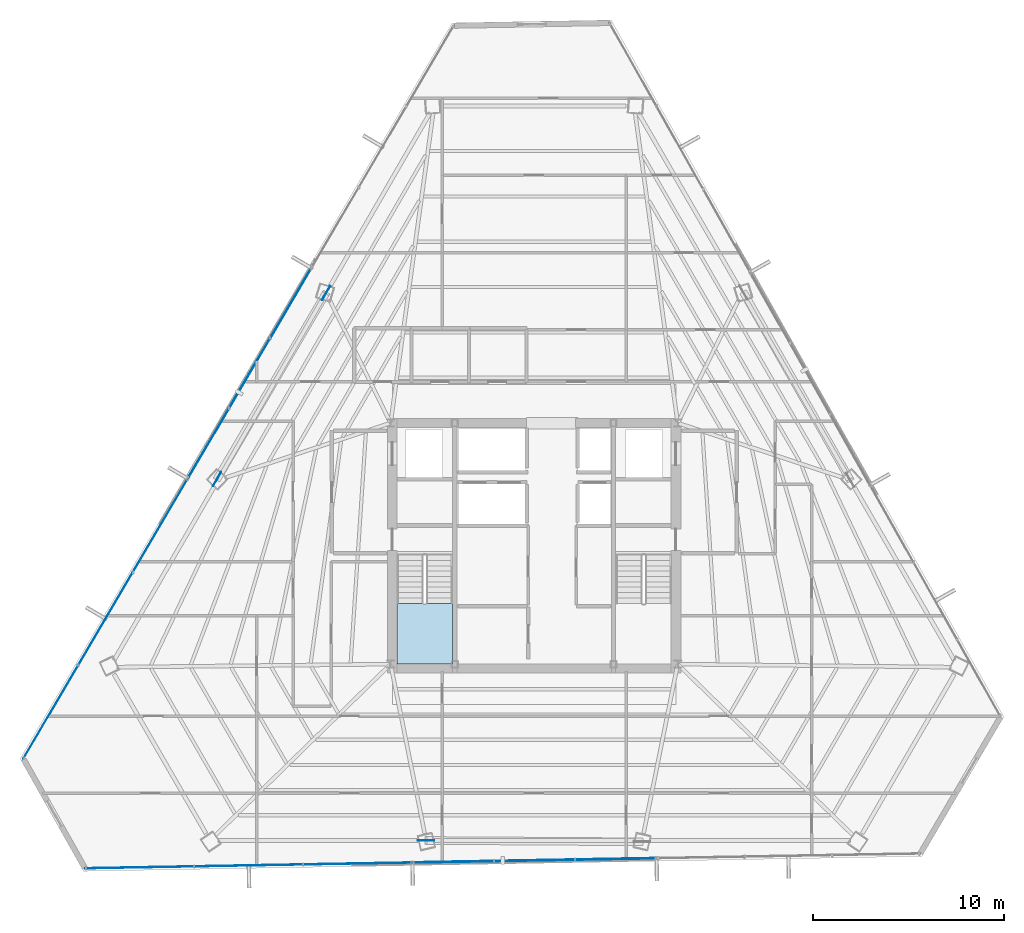
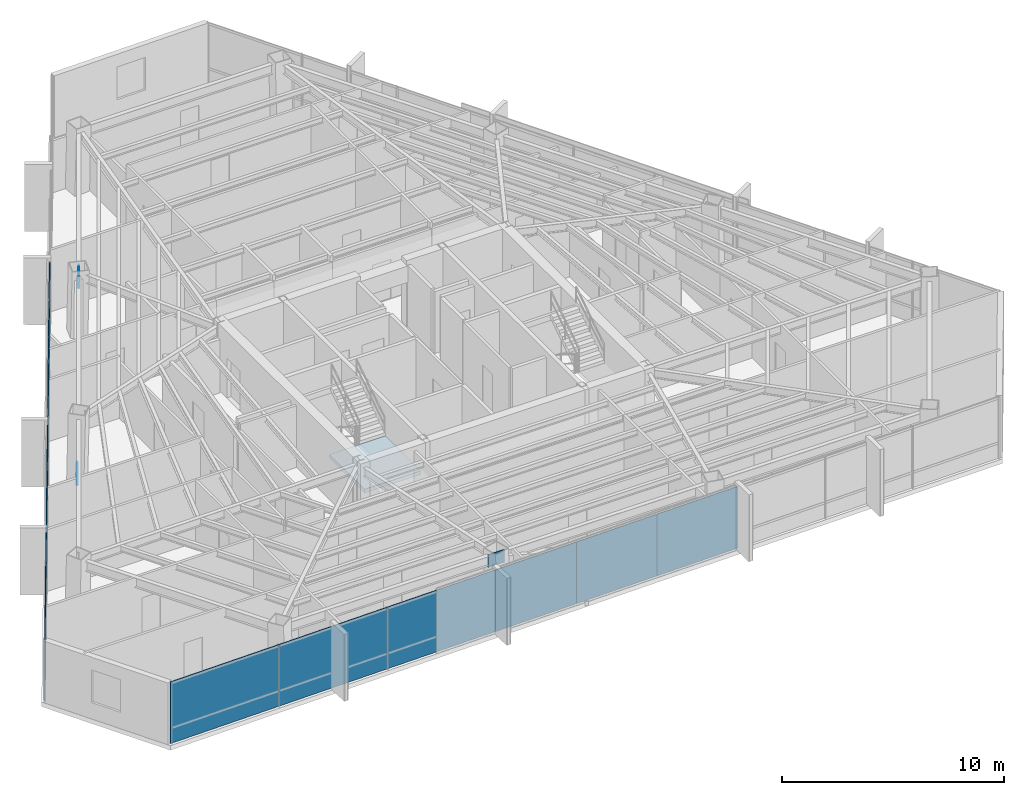
# One storey, part 33 of 42: 15 plates, 1 slab, 5 elements without a shape of their own.
"""IFC4 building model written with IfcOpenShell, lengths in metres."""

from ifc_helpers import new_model, si_unit, direction, frame, origin, origin_2d, place, context, subcontext, project, spatial, polyline, rectangle, outline, extrude, source, transform, mapped, material, layer, layer_set, type_object, type_shapes, element, aggregate, save


model = new_model("IFC4")

# Units and contexts
model_context = context("Model", 3, precision=1e-05, world=origin(), true_north=direction((0.0, 1.0)))
body_context = subcontext(model_context, "Body", "Model", "MODEL_VIEW")
ifc_project = project(units=[si_unit("LENGTHUNIT", "METRE"), si_unit("AREAUNIT", "SQUARE_METRE"), si_unit("VOLUMEUNIT", "CUBIC_METRE"), si_unit("PLANEANGLEUNIT", "RADIAN"), si_unit("MASSUNIT", "GRAM", prefix="KILO")], contexts=[model_context])

# Site, building, storey
site_placement = place(None, origin())
site = spatial("IfcSite", under=ifc_project, at=site_placement, CompositionType="ELEMENT")
building_placement = place(site_placement, origin())
building = spatial("IfcBuilding", under=site, at=building_placement, Name="Caelisora Broadcast Tower", CompositionType="ELEMENT")
storey_placement = place(building_placement, frame((0.0, 0.0, 195.0)))
storey = spatial("IfcBuildingStorey", under=building, at=storey_placement, Name="L51", CompositionType="ELEMENT", Elevation=195.0)

# Stair, slab
ifc_material_1 = material(Name="Concrete 40 MPa (AS 3600 N40)", Category="concrete")
stair_type = type_object("IfcStairType", Name="ST-1", PredefinedType="HALF_TURN_STAIR", material=ifc_material_1)
stair_placement = place(storey_placement, origin())
stair = element("IfcStair", 1, at=stair_placement, inside=storey, type_object=stair_type, Name="L51 West Fire-Isolated Tower Stair", PredefinedType="HALF_TURN_STAIR")
ifc_layer_1 = layer(ifc_material_1, 0.199951171875, Name="Concrete 40 MPa (AS 3600 N40)")
ifc_layer_set_1 = layer_set([ifc_layer_1], Name="Concrete 40 MPa (AS 3600 N40)")
slab_type = type_object("IfcSlabType", Name="STL-1", PredefinedType="LANDING", material=ifc_layer_set_1)
slab_placement = place(storey_placement, frame((0.0, 0.0, 1.625)))
slab = element("IfcSlab", 2, at=slab_placement, type_object=slab_type, Name="ST-1 landing 1", PredefinedType="LANDING", context=body_context, shape_type="SweptSolid", body=[
    extrude(outline(polyline([(30.820068359375, 20.580078125), (30.820068359375, 17.39990234375), (33.739990234375, 17.39990234375), (33.739990234375, 20.580078125), (30.820068359375, 20.580078125)])), origin(), (0.0, 0.0, 1.0), 0.199951171875),
])
aggregate(stair, [slab])

# Plates
ifc_material_2 = material(Name="Steel Grade 350 L15 (AS/NZS 3678)", Category="steel")
ifc_layer_2 = layer(ifc_material_2, 0.0400390625, Name="Steel Grade 350 L15 (AS/NZS 3678)")
ifc_layer_set_2 = layer_set([ifc_layer_2], Name="Steel Grade 350 L15 (AS/NZS 3678)")
plate_type_1 = type_object("IfcPlateType", Name="GP04", PredefinedType="USERDEFINED", material=ifc_layer_set_2)
shared_shape_1 = source(origin(), body_context, "Body", "SweptSolid", [
    extrude(rectangle(XDim=0.85009765625, YDim=0.0400390625, at=origin_2d()), origin(), (0.0, 0.0, 1.0), 0.699951171875),
])
type_shapes(plate_type_1, [shared_shape_1])
for number, where, z_axis, x_axis, name in (
    (3, (27.129150390625, 36.794921875, 2.72998046875), (0.0, 0.0, 1.0), (-0.5, -0.866025403784, 0.0), "L51 gusset plate GP04 (ND-L51-C02T)"),
    (4, (21.429443359375, 27.0673828125, -0.22998046875), (0.0, 0.0, 1.0), (-0.5, -0.866025403784, 0.0), "L51 gusset plate GP04 (ND-L51-C03B)"),
    (5, (32.3544921875, 8.18798828125, 2.72998046875), (0.0, 0.0, 1.0), (1.0, 0.0, 0.0), "L51 gusset plate GP04 (ND-L51-C06T)"),
):
    element("IfcPlate", number, at=place(storey_placement, frame(where, z_axis=z_axis, x_axis=x_axis)), inside=storey, type_object=plate_type_1, Name=name, ObjectType="GUSSET PLATE", PredefinedType="USERDEFINED", context=body_context, shape_type="MappedRepresentation", body=[
        mapped(shared_shape_1, transform((0.0, 0.0, 0.0), scale=1.0)),
    ])

# Curtain wall, plates
ifc_material_3 = material(Name="Unitised Aluminium Insulated Shadow-Box Spandrel Curtain Wall", Category="aluminium")
curtain_wall_type_1 = type_object("IfcCurtainWallType", Name="CW-SP2", PredefinedType="NOTDEFINED", material=ifc_material_3)
curtain_wall_1_placement = place(storey_placement, origin())
curtain_wall_1 = element("IfcCurtainWall", 6, at=curtain_wall_1_placement, inside=storey, type_object=curtain_wall_type_1, Name="L51 curtain wall CW-SP2", PredefinedType="NOTDEFINED")
ifc_material_4 = material(Name="Insulated Terracotta Shadow-Box Spandrel Panel", Category="aluminium")
ifc_layer_3 = layer(ifc_material_4, 0.0439453125, Name="Insulated Terracotta Shadow-Box Spandrel Panel")
ifc_layer_set_3 = layer_set([ifc_layer_3], Name="Insulated Terracotta Shadow-Box Spandrel Panel")
plate_type_2 = type_object("IfcPlateType", Name="CWP-10", PredefinedType="CURTAIN_PANEL", material=ifc_layer_set_3)
shared_shape_2 = source(origin(), body_context, "Body", "SweptSolid", [
    extrude(rectangle(XDim=4.248779296875, YDim=0.0439453125, at=origin_2d()), origin(), (0.0, 0.0, 1.0), 3.39990234375),
])
plate_1_placement = place(storey_placement, frame((42.265380859375, 7.21826171875, 0.0), z_axis=(0.0, 0.0, 1.0), x_axis=(-0.999844633908, -0.017626912514, 0.0)))
plate_1 = element("IfcPlate", 7, at=plate_1_placement, type_object=plate_type_2, Name="L51-CW-B06 spandrel panel #1", PredefinedType="CURTAIN_PANEL", context=body_context, shape_type="MappedRepresentation", body=[
    mapped(shared_shape_2, transform((0.0, 0.0, 0.0), scale=1.0)),
])
plate_2_placement = place(storey_placement, frame((38.01708984375, 7.142822265625, 0.0), z_axis=(0.0, 0.0, 1.0), x_axis=(-0.999844633908, -0.017626912514, 0.0)))
plate_2 = element("IfcPlate", 8, at=plate_2_placement, type_object=plate_type_2, Name="L51-CW-B06 spandrel panel #2", PredefinedType="CURTAIN_PANEL", context=body_context, shape_type="MappedRepresentation", body=[
    mapped(shared_shape_2, transform((0.0, 0.0, 0.0), scale=1.0)),
])
plate_3_placement = place(storey_placement, frame((33.769287109375, 7.067626953125, 0.0), z_axis=(0.0, 0.0, 1.0), x_axis=(-0.999844633908, -0.017626912514, 0.0)))
plate_3 = element("IfcPlate", 9, at=plate_3_placement, type_object=plate_type_2, Name="L51-CW-B06 spandrel panel #3", PredefinedType="CURTAIN_PANEL", context=body_context, shape_type="MappedRepresentation", body=[
    mapped(shared_shape_2, transform((0.0, 0.0, 0.0), scale=1.0)),
])
aggregate(curtain_wall_1, [plate_1, plate_2, plate_3])

ifc_material_5 = material(Name="Unitised Aluminium and Low-E Glass Curtain Wall", Category="glass")
curtain_wall_type_2 = type_object("IfcCurtainWallType", Name="CW-Z4", PredefinedType="NOTDEFINED", material=ifc_material_5)
curtain_wall_2_placement = place(storey_placement, origin())
curtain_wall_2 = element("IfcCurtainWall", 10, at=curtain_wall_2_placement, inside=storey, type_object=curtain_wall_type_2, Name="L51 curtain wall CW-Z4", PredefinedType="NOTDEFINED")
ifc_material_6 = material(Name="Double Glazed Low-E Argon IGU", Category="glass")
ifc_layer_4 = layer(ifc_material_6, 0.030029296875, Name="Double Glazed Low-E Argon IGU")
ifc_layer_set_4 = layer_set([ifc_layer_4], Name="Double Glazed Low-E Argon IGU")
plate_type_3 = type_object("IfcPlateType", Name="CWP-05", PredefinedType="CURTAIN_PANEL", material=ifc_layer_set_4)
shared_shape_3 = source(origin(), body_context, "Body", "SweptSolid", [
    extrude(rectangle(XDim=5.70068359375, YDim=0.030029296875, at=origin_2d()), origin(), (0.0, 0.0, 1.0), 3.39990234375),
])
plate_4_placement = place(storey_placement, frame((28.785400390625, 6.9794921875, 0.0), z_axis=(0.0, 0.0, 1.0), x_axis=(-0.999844633908, -0.017626912514, 0.0)))
plate_4 = element("IfcPlate", 11, at=plate_4_placement, type_object=plate_type_3, Name="L51-CW-B07 glazed panel #1", PredefinedType="CURTAIN_PANEL", context=body_context, shape_type="MappedRepresentation", body=[
    mapped(shared_shape_3, transform((0.0, 0.0, 0.0), scale=1.0)),
])
plate_5_placement = place(storey_placement, frame((23.085693359375, 6.87841796875, 0.0), z_axis=(0.0, 0.0, 1.0), x_axis=(-0.999844633908, -0.017626912514, 0.0)))
plate_5 = element("IfcPlate", 12, at=plate_5_placement, type_object=plate_type_3, Name="L51-CW-B07 glazed panel #2", PredefinedType="CURTAIN_PANEL", context=body_context, shape_type="MappedRepresentation", body=[
    mapped(shared_shape_3, transform((0.0, 0.0, 0.0), scale=1.0)),
])
plate_6_placement = place(storey_placement, frame((17.385986328125, 6.777587890625, 0.0), z_axis=(0.0, 0.0, 1.0), x_axis=(-0.999844633908, -0.017626912514, 0.0)))
plate_6 = element("IfcPlate", 13, at=plate_6_placement, type_object=plate_type_3, Name="L51-CW-B07 glazed panel #3", PredefinedType="CURTAIN_PANEL", context=body_context, shape_type="MappedRepresentation", body=[
    mapped(shared_shape_3, transform((0.0, 0.0, 0.0), scale=1.0)),
])
aggregate(curtain_wall_2, [plate_4, plate_5, plate_6])

curtain_wall_3_placement = place(storey_placement, origin())
curtain_wall_3 = element("IfcCurtainWall", 14, at=curtain_wall_3_placement, inside=storey, type_object=curtain_wall_type_2, Name="L51 curtain wall CW-Z4", PredefinedType="NOTDEFINED")
shared_shape_4 = source(origin(), body_context, "Body", "SweptSolid", [
    extrude(rectangle(XDim=5.656982421875, YDim=0.030029296875, at=origin_2d()), origin(), (0.0, 0.0, 1.0), 3.39990234375),
])
type_shapes(plate_type_3, [shared_shape_3, shared_shape_4])
plate_7_placement = place(storey_placement, frame((12.7392578125, 14.89404296875, 0.0), z_axis=(0.0, 0.0, 1.0), x_axis=(0.506334807353, 0.862336977557, 0.0)))
plate_7 = element("IfcPlate", 15, at=plate_7_placement, type_object=plate_type_3, Name="L51-CW-B09 glazed panel #1", PredefinedType="CURTAIN_PANEL", context=body_context, shape_type="MappedRepresentation", body=[
    mapped(shared_shape_4, transform((0.0, 0.0, 0.0), scale=1.0)),
])
plate_8_placement = place(storey_placement, frame((15.603759765625, 19.772216796875, 0.0), z_axis=(0.0, 0.0, 1.0), x_axis=(0.506334807353, 0.862336977557, 0.0)))
plate_8 = element("IfcPlate", 16, at=plate_8_placement, type_object=plate_type_3, Name="L51-CW-B09 glazed panel #2", PredefinedType="CURTAIN_PANEL", context=body_context, shape_type="MappedRepresentation", body=[
    mapped(shared_shape_4, transform((0.0, 0.0, 0.0), scale=1.0)),
])
plate_9_placement = place(storey_placement, frame((18.46826171875, 24.650390625, 0.0), z_axis=(0.0, 0.0, 1.0), x_axis=(0.506334807353, 0.862336977557, 0.0)))
plate_9 = element("IfcPlate", 17, at=plate_9_placement, type_object=plate_type_3, Name="L51-CW-B09 glazed panel #3", PredefinedType="CURTAIN_PANEL", context=body_context, shape_type="MappedRepresentation", body=[
    mapped(shared_shape_4, transform((0.0, 0.0, 0.0), scale=1.0)),
])
aggregate(curtain_wall_3, [plate_7, plate_8, plate_9])

curtain_wall_4_placement = place(storey_placement, origin())
curtain_wall_4 = element("IfcCurtainWall", 18, at=curtain_wall_4_placement, inside=storey, type_object=curtain_wall_type_1, Name="L51 curtain wall CW-SP2", PredefinedType="NOTDEFINED")
shared_shape_5 = source(origin(), body_context, "Body", "SweptSolid", [
    extrude(rectangle(XDim=4.249267578125, YDim=0.0439453125, at=origin_2d()), origin(), (0.0, 0.0, 1.0), 3.39990234375),
])
type_shapes(plate_type_2, [shared_shape_2, shared_shape_5])
plate_10_placement = place(storey_placement, frame((20.9814453125, 28.93017578125, 0.0), z_axis=(0.0, 0.0, 1.0), x_axis=(0.506334807353, 0.862336977557, 0.0)))
plate_10 = element("IfcPlate", 19, at=plate_10_placement, type_object=plate_type_2, Name="L51-CW-B10 spandrel panel #1", PredefinedType="CURTAIN_PANEL", context=body_context, shape_type="MappedRepresentation", body=[
    mapped(shared_shape_5, transform((0.0, 0.0, 0.0), scale=1.0)),
])
plate_11_placement = place(storey_placement, frame((23.133056640625, 32.594482421875, 0.0), z_axis=(0.0, 0.0, 1.0), x_axis=(0.506334807353, 0.862336977557, 0.0)))
plate_11 = element("IfcPlate", 20, at=plate_11_placement, type_object=plate_type_2, Name="L51-CW-B10 spandrel panel #2", PredefinedType="CURTAIN_PANEL", context=body_context, shape_type="MappedRepresentation", body=[
    mapped(shared_shape_5, transform((0.0, 0.0, 0.0), scale=1.0)),
])
plate_12_placement = place(storey_placement, frame((25.284912109375, 36.258544921875, 0.0), z_axis=(0.0, 0.0, 1.0), x_axis=(0.506334807353, 0.862336977557, 0.0)))
plate_12 = element("IfcPlate", 21, at=plate_12_placement, type_object=plate_type_2, Name="L51-CW-B10 spandrel panel #3", PredefinedType="CURTAIN_PANEL", context=body_context, shape_type="MappedRepresentation", body=[
    mapped(shared_shape_5, transform((0.0, 0.0, 0.0), scale=1.0)),
])
aggregate(curtain_wall_4, [plate_10, plate_11, plate_12])

save(model, "model.ifc")
